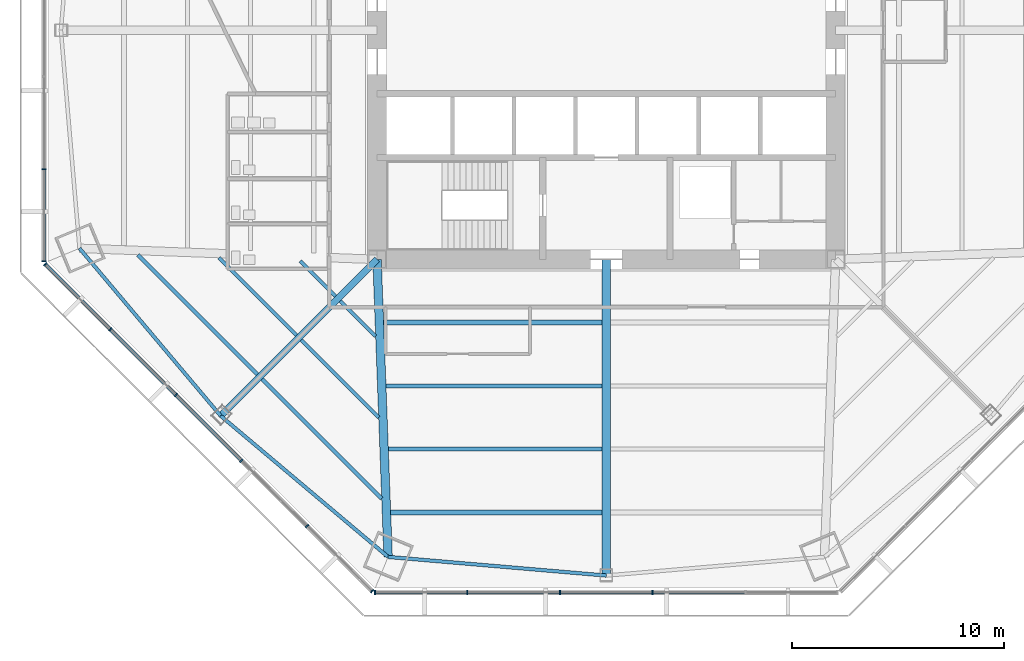
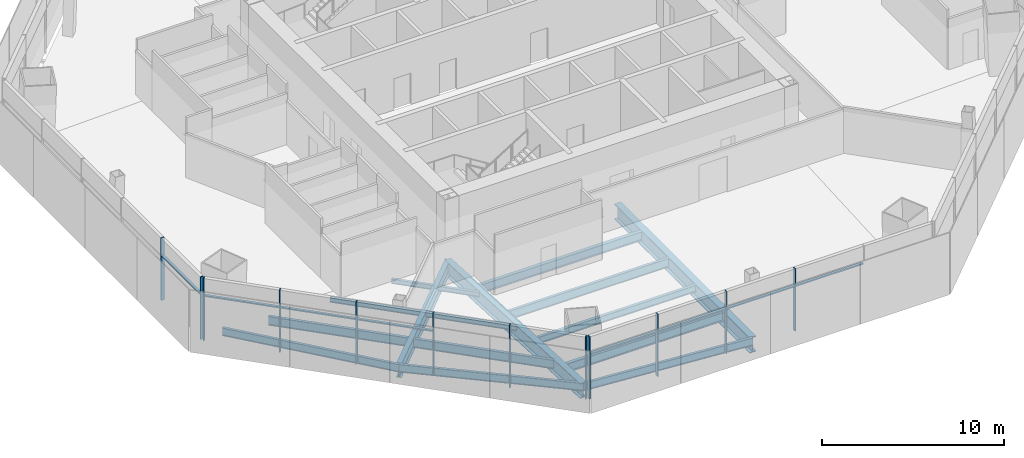
# One storey, part 2 of 14: 20 members, 16 beams, 3 elements without a shape of their own.
"""IFC4 building model written with IfcOpenShell, lengths in metres."""

from ifc_helpers import new_model, si_unit, direction, frame, origin, origin_2d, place, context, subcontext, project, spatial, rectangle, i_section, extrude, source, transform, mapped, material, material_profile, profile_set, type_object, type_shapes, element, aggregate, save


model = new_model("IFC4")

# Units and contexts
model_context = context("Model", 3, precision=1e-05, world=origin(), true_north=direction((0.0, 1.0)))
body_context = subcontext(model_context, "Body", "Model", "MODEL_VIEW")
ifc_project = project(units=[si_unit("LENGTHUNIT", "METRE"), si_unit("AREAUNIT", "SQUARE_METRE"), si_unit("VOLUMEUNIT", "CUBIC_METRE"), si_unit("PLANEANGLEUNIT", "RADIAN"), si_unit("MASSUNIT", "GRAM", prefix="KILO")], contexts=[model_context])

# Site, building, storey
site_placement = place(None, origin())
site = spatial("IfcSite", under=ifc_project, at=site_placement, CompositionType="ELEMENT")
building_placement = place(site_placement, origin())
building = spatial("IfcBuilding", under=site, at=building_placement, Name="Mashrafa Tower", CompositionType="ELEMENT")
storey_placement = place(building_placement, frame((0.0, 0.0, 54.0)))
storey = spatial("IfcBuildingStorey", under=building, at=storey_placement, Name="L11", CompositionType="ELEMENT", Elevation=54.0)

# Beams
ifc_material_1 = material(Name="Steel ASTM A992", Category="steel")
ifc_material_profile_1 = material_profile(ifc_material_1, i_section(OverallWidth=0.164794921875, OverallDepth=0.309814453125, WebThickness=0.005859375, FlangeThickness=0.009765625, FilletRadius=0.007568359375, at=origin_2d()), Name="W12X26")
ifc_profile_set_1 = profile_set([ifc_material_profile_1], Name="Steel ASTM A992")
beam_type_1 = type_object("IfcBeamType", Name="Beam W12X26", PredefinedType="BEAM", material=ifc_profile_set_1)
beam_1_placement = place(storey_placement, frame((-14.592041015625, -14.374755859375, -0.31982421875), z_axis=(-0.707106781187, 0.707106781187, 0.0), x_axis=(-0.707106781187, -0.707106781187, 0.0)))
element("IfcBeam", 1, at=beam_1_placement, inside=storey, type_object=beam_type_1, Name="Floor beam L11 012", PredefinedType="BEAM", context=body_context, shape_type="SweptSolid", body=[
    extrude(i_section(OverallWidth=0.164794921875, OverallDepth=0.309814453125, WebThickness=0.005859375, FlangeThickness=0.009765625, FilletRadius=0.007568359375, at=origin_2d()), origin(), (0.0, 0.0, 1.0), 5.16357421875),
])
for number, where, z_axis, x_axis, name in (
    (2, (-12.75048828125, -12.532958984375, -0.31982421875), (-0.707106781187, 0.707106781187, 0.0), (-0.707106781187, -0.707106781187, 0.0), "Floor beam L11 016"),
    (3, (-10.8662109375, -14.417236328125, -0.31982421875), (-0.707106781187, 0.707106781187, 0.0), (-0.707106781187, -0.707106781187, 0.0), "Floor beam L11 019"),
):
    element("IfcBeam", number, at=place(storey_placement, frame(where, z_axis=z_axis, x_axis=x_axis)), inside=storey, type_object=beam_type_1, Name=name, PredefinedType="BEAM", context=body_context, shape_type="SweptSolid", body=[
        extrude(i_section(OverallWidth=0.164794921875, OverallDepth=0.309814453125, WebThickness=0.005859375, FlangeThickness=0.009765625, FilletRadius=0.007568359375, at=origin_2d()), origin(), (0.0, 0.0, 1.0), 2.357177734375),
    ])
beam_2_placement = place(storey_placement, frame((-10.7236328125, -18.2431640625, -0.31982421875), z_axis=(-0.707106781187, 0.707106781187, 0.0), x_axis=(-0.707106781187, -0.707106781187, 0.0)))
element("IfcBeam", 4, at=beam_2_placement, inside=storey, type_object=beam_type_1, Name="Floor beam L11 021", PredefinedType="BEAM", context=body_context, shape_type="SweptSolid", body=[
    extrude(i_section(OverallWidth=0.164794921875, OverallDepth=0.309814453125, WebThickness=0.005859375, FlangeThickness=0.009765625, FilletRadius=0.007568359375, at=origin_2d()), origin(), (0.0, 0.0, 1.0), 5.16357421875),
])
ifc_material_2 = material(Name="Steel ASTM A992", Category="steel")
ifc_material_profile_2 = material_profile(ifc_material_2, i_section(OverallWidth=0.191162109375, OverallDepth=0.459716796875, WebThickness=0.010009765625, FlangeThickness=0.01611328125, FilletRadius=0.01025390625, at=origin_2d()), Name="W18X55")
ifc_profile_set_2 = profile_set([ifc_material_profile_2], Name="Steel ASTM A992")
beam_type_2 = type_object("IfcBeamType", Name="Beam W18X55", PredefinedType="BEAM", material=ifc_profile_set_2)
beam_3_placement = place(storey_placement, frame((-0.20458984375, -19.735107421875, -0.394775390625), z_axis=(-1.0, 0.0, 0.0), x_axis=(0.0, -1.0, 0.0)))
element("IfcBeam", 5, at=beam_3_placement, inside=storey, type_object=beam_type_2, Name="Floor beam L11 026", PredefinedType="BEAM", context=body_context, shape_type="SweptSolid", body=[
    extrude(i_section(OverallWidth=0.191162109375, OverallDepth=0.459716796875, WebThickness=0.010009765625, FlangeThickness=0.01611328125, FilletRadius=0.01025390625, at=origin_2d()), origin(), (0.0, 0.0, 1.0), 10.061767578125),
])
ifc_material_3 = material(Name="Steel ASTM A992", Category="steel")
ifc_material_profile_3 = material_profile(ifc_material_3, i_section(OverallWidth=0.165771484375, OverallDepth=0.5283203125, WebThickness=0.009765625, FlangeThickness=0.013671875, FilletRadius=0.012939453125, at=origin_2d()), Name="W21X50")
ifc_profile_set_3 = profile_set([ifc_material_profile_3], Name="Steel ASTM A992")
beam_type_3 = type_object("IfcBeamType", Name="Beam W21X50", PredefinedType="BEAM", material=ifc_profile_set_3)
for number, where, z_axis, x_axis, name in (
    (6, (-24.813720703125, -10.278076171875, -0.42919921875), (0.644355817724, -0.764725820256, 0.0), (0.764725820256, 0.644355817724, 0.0), "Spandrel beam L11 074"),
    (7, (-18.166748046875, -18.166748046875, -0.42919921875), (0.764725820256, -0.644355817724, 0.0), (0.644355817724, 0.764725820256, 0.0), "Spandrel beam L11 076"),
):
    element("IfcBeam", number, at=place(storey_placement, frame(where, z_axis=z_axis, x_axis=x_axis)), inside=storey, type_object=beam_type_3, Name=name, PredefinedType="BEAM", context=body_context, shape_type="SweptSolid", body=[
        extrude(i_section(OverallWidth=0.165771484375, OverallDepth=0.5283203125, WebThickness=0.009765625, FlangeThickness=0.013671875, FilletRadius=0.012939453125, at=origin_2d()), origin(), (0.0, 0.0, 1.0), 10.315673828125),
    ])
beam_4_placement = place(storey_placement, frame((-10.278076171875, -24.813720703125, -0.42919921875), z_axis=(0.996369742778, -0.085131284942, 0.0), x_axis=(0.085131284942, 0.996369742778, 0.0)))
element("IfcBeam", 8, at=beam_4_placement, inside=storey, type_object=beam_type_3, Name="Spandrel beam L11 078", PredefinedType="BEAM", context=body_context, shape_type="SweptSolid", body=[
    extrude(i_section(OverallWidth=0.165771484375, OverallDepth=0.5283203125, WebThickness=0.009765625, FlangeThickness=0.013671875, FilletRadius=0.012939453125, at=origin_2d()), origin(), (0.0, 0.0, 1.0), 10.3154296875),
])
ifc_material_4 = material(Name="Steel ASTM A992", Category="steel")
ifc_material_profile_4 = material_profile(ifc_material_4, i_section(OverallWidth=0.177978515625, OverallDepth=0.599365234375, WebThickness=0.010009765625, FlangeThickness=0.012939453125, FilletRadius=0.012939453125, at=origin_2d()), Name="W24X55")
ifc_profile_set_4 = profile_set([ifc_material_profile_4], Name="Steel ASTM A992")
beam_type_4 = type_object("IfcBeamType", Name="Beam W24X55", PredefinedType="BEAM", material=ifc_profile_set_4)
for number, where, z_axis, x_axis, name in (
    (9, (-16.433837890625, -16.21630859375, -0.464599609375), (-0.707106781187, 0.707106781187, 0.0), (-0.707106781187, -0.707106781187, 0.0), "Floor beam L11 009"),
    (10, (-10.5810546875, -22.069091796875, -0.464599609375), (-0.707106781187, 0.707106781187, 0.0), (-0.707106781187, -0.707106781187, 0.0), "Floor beam L11 023"),
):
    element("IfcBeam", number, at=place(storey_placement, frame(where, z_axis=z_axis, x_axis=x_axis)), inside=storey, type_object=beam_type_4, Name=name, PredefinedType="BEAM", context=body_context, shape_type="SweptSolid", body=[
        extrude(i_section(OverallWidth=0.177978515625, OverallDepth=0.599365234375, WebThickness=0.010009765625, FlangeThickness=0.012939453125, FilletRadius=0.012939453125, at=origin_2d()), origin(), (0.0, 0.0, 1.0), 7.969482421875),
    ])
beam_5_placement = place(storey_placement, frame((-0.20458984375, -16.756591796875, -0.464599609375), z_axis=(-1.0, 0.0, 0.0), x_axis=(0.0, -1.0, 0.0)))
element("IfcBeam", 11, at=beam_5_placement, inside=storey, type_object=beam_type_4, Name="Floor beam L11 027", PredefinedType="BEAM", context=body_context, shape_type="SweptSolid", body=[
    extrude(i_section(OverallWidth=0.177978515625, OverallDepth=0.599365234375, WebThickness=0.010009765625, FlangeThickness=0.012939453125, FilletRadius=0.012939453125, at=origin_2d()), origin(), (0.0, 0.0, 1.0), 10.1728515625),
])
ifc_material_5 = material(Name="Steel ASTM A992", Category="steel")
ifc_material_profile_5 = material_profile(ifc_material_5, i_section(OverallWidth=0.227783203125, OverallDepth=0.60205078125, WebThickness=0.010498046875, FlangeThickness=0.014892578125, FilletRadius=0.012939453125, at=origin_2d()), Name="W24X68")
ifc_profile_set_5 = profile_set([ifc_material_profile_5], Name="Steel ASTM A992")
beam_type_5 = type_object("IfcBeamType", Name="Beam W24X68", PredefinedType="BEAM", material=ifc_profile_set_5)
beam_6_placement = place(storey_placement, frame((-0.20458984375, -13.7783203125, -0.466064453125), z_axis=(-1.0, 0.0, 0.0), x_axis=(0.0, -1.0, 0.0)))
element("IfcBeam", 12, at=beam_6_placement, inside=storey, type_object=beam_type_5, Name="Floor beam L11 028", PredefinedType="BEAM", context=body_context, shape_type="SweptSolid", body=[
    extrude(i_section(OverallWidth=0.227783203125, OverallDepth=0.60205078125, WebThickness=0.010498046875, FlangeThickness=0.014892578125, FilletRadius=0.012939453125, at=origin_2d()), origin(), (0.0, 0.0, 1.0), 10.28369140625),
])
ifc_material_6 = material(Name="Steel ASTM A992", Category="steel")
ifc_material_profile_6 = material_profile(ifc_material_6, i_section(OverallWidth=0.228271484375, OverallDepth=0.607177734375, WebThickness=0.01123046875, FlangeThickness=0.017333984375, FilletRadius=0.0126953125, at=origin_2d()), Name="W24X76")
ifc_profile_set_6 = profile_set([ifc_material_profile_6], Name="Steel ASTM A992")
beam_type_6 = type_object("IfcBeamType", Name="Beam W24X76", PredefinedType="BEAM", material=ifc_profile_set_6)
beam_7_placement = place(storey_placement, frame((-0.20458984375, -22.71337890625, -0.468505859375), z_axis=(-1.0, 0.0, 0.0), x_axis=(0.0, -1.0, 0.0)))
element("IfcBeam", 13, at=beam_7_placement, inside=storey, type_object=beam_type_6, Name="Floor beam L11 025", PredefinedType="BEAM", context=body_context, shape_type="SweptSolid", body=[
    extrude(i_section(OverallWidth=0.228271484375, OverallDepth=0.607177734375, WebThickness=0.01123046875, FlangeThickness=0.017333984375, FilletRadius=0.0126953125, at=origin_2d()), origin(), (0.0, 0.0, 1.0), 9.950927734375),
])
ifc_material_7 = material(Name="Steel ASTM A992", Category="steel")
ifc_material_profile_7 = material_profile(ifc_material_7, i_section(OverallWidth=0.307373046875, OverallDepth=0.927001953125, WebThickness=0.01953125, FlangeThickness=0.031982421875, FilletRadius=0.01904296875, at=origin_2d()), Name="W36X194")
ifc_profile_set_7 = profile_set([ifc_material_profile_7], Name="Steel ASTM A992")
beam_type_7 = type_object("IfcBeamType", Name="Beam W36X194", PredefinedType="BEAM", material=ifc_profile_set_7)
beam_8_placement = place(storey_placement, frame((-10.800048828125, -10.800048828125, -0.628662109375), z_axis=(-0.707106781187, -0.707106781187, 0.0), x_axis=(0.707106781187, -0.707106781187, 0.0)))
element("IfcBeam", 14, at=beam_8_placement, inside=storey, type_object=beam_type_7, Name="Radial girder L11 058", PredefinedType="BEAM", context=body_context, shape_type="SweptSolid", body=[
    extrude(i_section(OverallWidth=0.307373046875, OverallDepth=0.927001953125, WebThickness=0.01953125, FlangeThickness=0.031982421875, FilletRadius=0.01904296875, at=origin_2d()), origin(), (0.0, 0.0, 1.0), 10.41796875),
])
ifc_material_8 = material(Name="Steel ASTM A992", Category="steel")
ifc_material_profile_8 = material_profile(ifc_material_8, i_section(OverallWidth=0.4013671875, OverallDepth=1.010986328125, WebThickness=0.023681640625, FlangeThickness=0.0419921875, FilletRadius=0.02001953125, at=origin_2d()), Name="W40X297")
ifc_profile_set_8 = profile_set([ifc_material_profile_8], Name="Steel ASTM A992")
beam_type_8 = type_object("IfcBeamType", Name="Beam W40X297", PredefinedType="BEAM", material=ifc_profile_set_8)
beam_9_placement = place(storey_placement, frame((-10.800048828125, -10.800048828125, -0.67041015625), z_axis=(0.037221575701, -0.999307037052, 0.0), x_axis=(0.999307037052, 0.037221575701, 0.0)))
element("IfcBeam", 15, at=beam_9_placement, inside=storey, type_object=beam_type_8, Name="Radial girder L11 059", PredefinedType="BEAM", context=body_context, shape_type="SweptSolid", body=[
    extrude(i_section(OverallWidth=0.4013671875, OverallDepth=1.010986328125, WebThickness=0.023681640625, FlangeThickness=0.0419921875, FilletRadius=0.02001953125, at=origin_2d()), origin(), (0.0, 0.0, 1.0), 14.0234375),
])
ifc_material_9 = material(Name="Steel ASTM A992", Category="steel")
ifc_material_profile_9 = material_profile(ifc_material_9, i_section(OverallWidth=0.408935546875, OverallDepth=1.04150390625, WebThickness=0.031005859375, FlangeThickness=0.055908203125, FilletRadius=0.020263671875, at=origin_2d()), Name="W40X397")
ifc_profile_set_9 = profile_set([ifc_material_profile_9], Name="Steel ASTM A992")
beam_type_9 = type_object("IfcBeamType", Name="Beam W40X397", PredefinedType="BEAM", material=ifc_profile_set_9)
beam_10_placement = place(storey_placement, frame((0.0, -10.800048828125, -0.685791015625), z_axis=(0.0, -1.0, 0.0), x_axis=(1.0, 0.0, 0.0)))
element("IfcBeam", 16, at=beam_10_placement, inside=storey, type_object=beam_type_9, Name="Radial girder L11 064", PredefinedType="BEAM", context=body_context, shape_type="SweptSolid", body=[
    extrude(i_section(OverallWidth=0.408935546875, OverallDepth=1.04150390625, WebThickness=0.031005859375, FlangeThickness=0.055908203125, FilletRadius=0.020263671875, at=origin_2d()), origin(), (0.0, 0.0, 1.0), 14.891845703125),
])

# Curtain wall, members
ifc_material_10 = material(Name="Unitised aluminium curtain wall", Category="aluminium")
curtain_wall_type = type_object("IfcCurtainWallType", Name="Office curtain wall, zone 1 CW-A 200 deep", PredefinedType="NOTDEFINED", material=ifc_material_10)
curtain_wall_1_placement = place(storey_placement, origin())
curtain_wall_1 = element("IfcCurtainWall", 17, at=curtain_wall_1_placement, inside=storey, type_object=curtain_wall_type, Name="Office curtain wall, zone 1 L11 west", PredefinedType="NOTDEFINED")
ifc_material_11 = material(Name="Extruded aluminium mullion", Category="aluminium")
ifc_material_profile_10 = material_profile(ifc_material_11, rectangle(XDim=0.199951171875, YDim=0.06494140625, at=origin_2d()), Name="Mullion 65x200")
ifc_profile_set_10 = profile_set([ifc_material_profile_10], Name="Extruded aluminium mullion")
member_type_1 = type_object("IfcMemberType", Name="Mullion CW-A 65 x 200", PredefinedType="MULLION", material=ifc_profile_set_10)
shared_shape_1 = source(origin(), body_context, "Body", "SweptSolid", [
    extrude(rectangle(XDim=0.199951171875, YDim=0.06494140625, at=origin_2d()), origin(), (0.0, 0.0, 1.0), 4.199951171875),
])
type_shapes(member_type_1, [shared_shape_1])
member_1_placement = place(storey_placement, frame((-26.487060546875, -6.552001953125, 0.0), z_axis=(0.0, 0.0, 1.0), x_axis=(1.0, 0.0, 0.0)))
member_1 = element("IfcMember", 18, at=member_1_placement, type_object=member_type_1, Name="CW-A mullion 5", PredefinedType="MULLION", context=body_context, shape_type="MappedRepresentation", body=[
    mapped(shared_shape_1, transform((0.0, 0.0, 0.0))),
])
member_2_placement = place(storey_placement, frame((-26.487060546875, -10.887451171875, 0.0), z_axis=(0.0, 0.0, 1.0), x_axis=(1.0, 0.0, 0.0)))
member_2 = element("IfcMember", 19, at=member_2_placement, type_object=member_type_1, Name="CW-A mullion 6", PredefinedType="MULLION", context=body_context, shape_type="MappedRepresentation", body=[
    mapped(shared_shape_1, transform((0.0, 0.0, 0.0))),
])

curtain_wall_2_placement = place(storey_placement, origin())
curtain_wall_2 = element("IfcCurtainWall", 20, at=curtain_wall_2_placement, inside=storey, type_object=curtain_wall_type, Name="Office curtain wall, zone 1 L11 south-west", PredefinedType="NOTDEFINED")
member_3_placement = place(storey_placement, frame((-26.427734375, -11.03076171875, 0.0), z_axis=(0.0, 0.0, 1.0), x_axis=(0.707106781187, 0.707106781187, 0.0)))
member_3 = element("IfcMember", 21, at=member_3_placement, type_object=member_type_1, Name="CW-A mullion 1", PredefinedType="MULLION", context=body_context, shape_type="MappedRepresentation", body=[
    mapped(shared_shape_1, transform((0.0, 0.0, 0.0))),
])
member_4_placement = place(storey_placement, frame((-23.362060546875, -14.09619140625, 0.0), z_axis=(0.0, 0.0, 1.0), x_axis=(0.707106781187, 0.707106781187, 0.0)))
member_4 = element("IfcMember", 22, at=member_4_placement, type_object=member_type_1, Name="CW-A mullion 2", PredefinedType="MULLION", context=body_context, shape_type="MappedRepresentation", body=[
    mapped(shared_shape_1, transform((0.0, 0.0, 0.0))),
])
member_5_placement = place(storey_placement, frame((-20.2734375, -17.184814453125, 0.0), z_axis=(0.0, 0.0, 1.0), x_axis=(0.707106781187, 0.707106781187, 0.0)))
member_5 = element("IfcMember", 23, at=member_5_placement, type_object=member_type_1, Name="CW-A mullion 3", PredefinedType="MULLION", context=body_context, shape_type="MappedRepresentation", body=[
    mapped(shared_shape_1, transform((0.0, 0.0, 0.0))),
])
member_6_placement = place(storey_placement, frame((-17.184814453125, -20.2734375, 0.0), z_axis=(0.0, 0.0, 1.0), x_axis=(0.707106781187, 0.707106781187, 0.0)))
member_6 = element("IfcMember", 24, at=member_6_placement, type_object=member_type_1, Name="CW-A mullion 4", PredefinedType="MULLION", context=body_context, shape_type="MappedRepresentation", body=[
    mapped(shared_shape_1, transform((0.0, 0.0, 0.0))),
])
member_7_placement = place(storey_placement, frame((-14.09619140625, -23.362060546875, 0.0), z_axis=(0.0, 0.0, 1.0), x_axis=(0.707106781187, 0.707106781187, 0.0)))
member_7 = element("IfcMember", 25, at=member_7_placement, type_object=member_type_1, Name="CW-A mullion 5", PredefinedType="MULLION", context=body_context, shape_type="MappedRepresentation", body=[
    mapped(shared_shape_1, transform((0.0, 0.0, 0.0))),
])
member_8_placement = place(storey_placement, frame((-11.03076171875, -26.427734375, 0.0), z_axis=(0.0, 0.0, 1.0), x_axis=(0.707106781187, 0.707106781187, 0.0)))
member_8 = element("IfcMember", 26, at=member_8_placement, type_object=member_type_1, Name="CW-A mullion 6", PredefinedType="MULLION", context=body_context, shape_type="MappedRepresentation", body=[
    mapped(shared_shape_1, transform((0.0, 0.0, 0.0))),
])

curtain_wall_3_placement = place(storey_placement, origin())
curtain_wall_3 = element("IfcCurtainWall", 27, at=curtain_wall_3_placement, inside=storey, type_object=curtain_wall_type, Name="Office curtain wall, zone 1 L11 south", PredefinedType="NOTDEFINED")
member_9_placement = place(storey_placement, frame((-10.887451171875, -26.487060546875, 0.0), z_axis=(0.0, 0.0, 1.0), x_axis=(0.0, 1.0, 0.0)))
member_9 = element("IfcMember", 28, at=member_9_placement, type_object=member_type_1, Name="CW-A mullion 1", PredefinedType="MULLION", context=body_context, shape_type="MappedRepresentation", body=[
    mapped(shared_shape_1, transform((0.0, 0.0, 0.0))),
])
member_10_placement = place(storey_placement, frame((-6.552001953125, -26.487060546875, 0.0), z_axis=(0.0, 0.0, 1.0), x_axis=(0.0, 1.0, 0.0)))
member_10 = element("IfcMember", 29, at=member_10_placement, type_object=member_type_1, Name="CW-A mullion 2", PredefinedType="MULLION", context=body_context, shape_type="MappedRepresentation", body=[
    mapped(shared_shape_1, transform((0.0, 0.0, 0.0))),
])
member_11_placement = place(storey_placement, frame((-2.18408203125, -26.487060546875, 0.0), z_axis=(0.0, 0.0, 1.0), x_axis=(0.0, 1.0, 0.0)))
member_11 = element("IfcMember", 30, at=member_11_placement, type_object=member_type_1, Name="CW-A mullion 3", PredefinedType="MULLION", context=body_context, shape_type="MappedRepresentation", body=[
    mapped(shared_shape_1, transform((0.0, 0.0, 0.0))),
])
member_12_placement = place(storey_placement, frame((2.18408203125, -26.487060546875, 0.0), z_axis=(0.0, 0.0, 1.0), x_axis=(0.0, 1.0, 0.0)))
member_12 = element("IfcMember", 31, at=member_12_placement, type_object=member_type_1, Name="CW-A mullion 4", PredefinedType="MULLION", context=body_context, shape_type="MappedRepresentation", body=[
    mapped(shared_shape_1, transform((0.0, 0.0, 0.0))),
])

# Member
ifc_material_12 = material(Name="Extruded aluminium transom", Category="aluminium")
ifc_material_profile_11 = material_profile(ifc_material_12, rectangle(XDim=0.159912109375, YDim=0.080078125, at=origin_2d()), Name="Transom 80x160")
ifc_profile_set_11 = profile_set([ifc_material_profile_11], Name="Extruded aluminium transom")
member_type_2 = type_object("IfcMemberType", Name="Transom CW-A 80 x 160", PredefinedType="MULLION", material=ifc_profile_set_11)
shared_shape_2 = source(origin(), body_context, "Body", "SweptSolid", [
    extrude(rectangle(XDim=0.159912109375, YDim=0.080078125, at=origin_2d()), origin(), (0.0, 0.0, 1.0), 4.2705078125),
])
member_13_placement = place(storey_placement, frame((-26.487060546875, -6.58447265625, 3.0), z_axis=(0.0, -1.0, 0.0), x_axis=(1.0, 0.0, 0.0)))
member_13 = element("IfcMember", 32, at=member_13_placement, type_object=member_type_2, Name="CW-A transom 5", PredefinedType="MULLION", context=body_context, shape_type="MappedRepresentation", body=[
    mapped(shared_shape_2, transform((0.0, 0.0, 0.0))),
])

aggregate(curtain_wall_1, [member_1, member_2, member_13])

member_14_placement = place(storey_placement, frame((-10.85498046875, -26.487060546875, 3.0), z_axis=(1.0, 0.0, 0.0), x_axis=(0.0, 1.0, 0.0)))
member_14 = element("IfcMember", 33, at=member_14_placement, type_object=member_type_2, Name="CW-A transom 1", PredefinedType="MULLION", context=body_context, shape_type="MappedRepresentation", body=[
    mapped(shared_shape_2, transform((0.0, 0.0, 0.0))),
])

shared_shape_3 = source(origin(), body_context, "Body", "SweptSolid", [
    extrude(rectangle(XDim=0.159912109375, YDim=0.080078125, at=origin_2d()), origin(), (0.0, 0.0, 1.0), 4.302978515625),
])
member_15_placement = place(storey_placement, frame((-6.51953125, -26.487060546875, 3.0), z_axis=(1.0, 0.0, 0.0), x_axis=(0.0, 1.0, 0.0)))
member_15 = element("IfcMember", 34, at=member_15_placement, type_object=member_type_2, Name="CW-A transom 2", PredefinedType="MULLION", context=body_context, shape_type="MappedRepresentation", body=[
    mapped(shared_shape_3, transform((0.0, 0.0, 0.0))),
])

member_16_placement = place(storey_placement, frame((2.216552734375, -26.487060546875, 3.0), z_axis=(1.0, 0.0, 0.0), x_axis=(0.0, 1.0, 0.0)))
member_16 = element("IfcMember", 35, at=member_16_placement, type_object=member_type_2, Name="CW-A transom 4", PredefinedType="MULLION", context=body_context, shape_type="MappedRepresentation", body=[
    mapped(shared_shape_3, transform((0.0, 0.0, 0.0))),
])

shared_shape_4 = source(origin(), body_context, "Body", "SweptSolid", [
    extrude(rectangle(XDim=0.159912109375, YDim=0.080078125, at=origin_2d()), origin(), (0.0, 0.0, 1.0), 4.302734375),
])
member_17_placement = place(storey_placement, frame((-23.339111328125, -14.119384765625, 3.0), z_axis=(0.707106781187, -0.707106781187, 0.0), x_axis=(0.707106781187, 0.707106781187, 0.0)))
member_17 = element("IfcMember", 36, at=member_17_placement, type_object=member_type_2, Name="CW-A transom 2", PredefinedType="MULLION", context=body_context, shape_type="MappedRepresentation", body=[
    mapped(shared_shape_4, transform((0.0, 0.0, 0.0))),
])

member_18_placement = place(storey_placement, frame((-20.25048828125, -17.2080078125, 3.0), z_axis=(0.707106781187, -0.707106781187, 0.0), x_axis=(0.707106781187, 0.707106781187, 0.0)))
member_18 = element("IfcMember", 37, at=member_18_placement, type_object=member_type_2, Name="CW-A transom 3", PredefinedType="MULLION", context=body_context, shape_type="MappedRepresentation", body=[
    mapped(shared_shape_4, transform((0.0, 0.0, 0.0))),
])

member_19_placement = place(storey_placement, frame((-2.1513671875, -26.487060546875, 3.0), z_axis=(1.0, 0.0, 0.0), x_axis=(0.0, 1.0, 0.0)))
member_19 = element("IfcMember", 38, at=member_19_placement, type_object=member_type_2, Name="CW-A transom 3", PredefinedType="MULLION", context=body_context, shape_type="MappedRepresentation", body=[
    mapped(shared_shape_4, transform((0.0, 0.0, 0.0))),
])

aggregate(curtain_wall_3, [member_9, member_10, member_11, member_12, member_14, member_15, member_19, member_16])

shared_shape_5 = source(origin(), body_context, "Body", "SweptSolid", [
    extrude(rectangle(XDim=0.159912109375, YDim=0.080078125, at=origin_2d()), origin(), (0.0, 0.0, 1.0), 4.270263671875),
])
type_shapes(member_type_2, [shared_shape_2, shared_shape_3, shared_shape_4, shared_shape_5])
member_20_placement = place(storey_placement, frame((-26.40478515625, -11.0537109375, 3.0), z_axis=(0.707106781187, -0.707106781187, 0.0), x_axis=(0.707106781187, 0.707106781187, 0.0)))
member_20 = element("IfcMember", 39, at=member_20_placement, type_object=member_type_2, Name="CW-A transom 1", PredefinedType="MULLION", context=body_context, shape_type="MappedRepresentation", body=[
    mapped(shared_shape_5, transform((0.0, 0.0, 0.0))),
])

aggregate(curtain_wall_2, [member_3, member_4, member_5, member_6, member_7, member_8, member_20, member_17, member_18])

save(model, "model.ifc")
